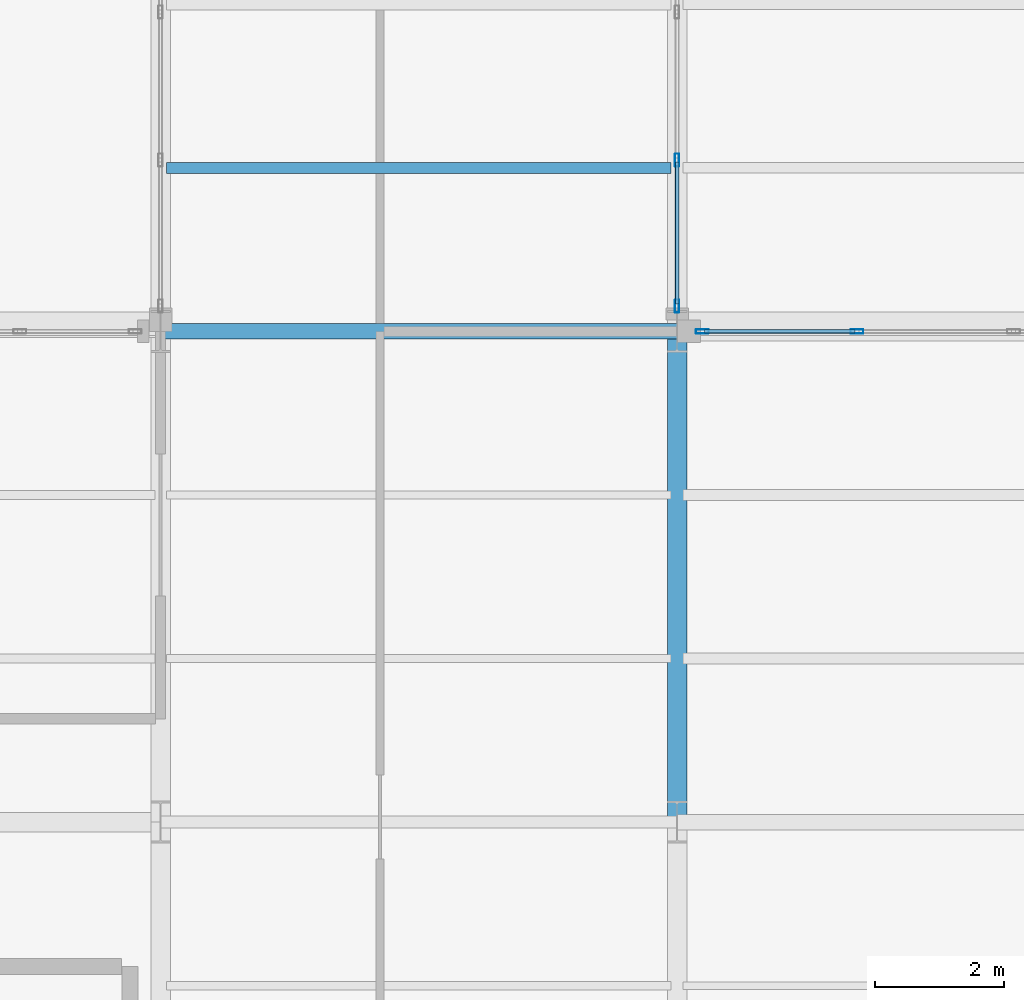
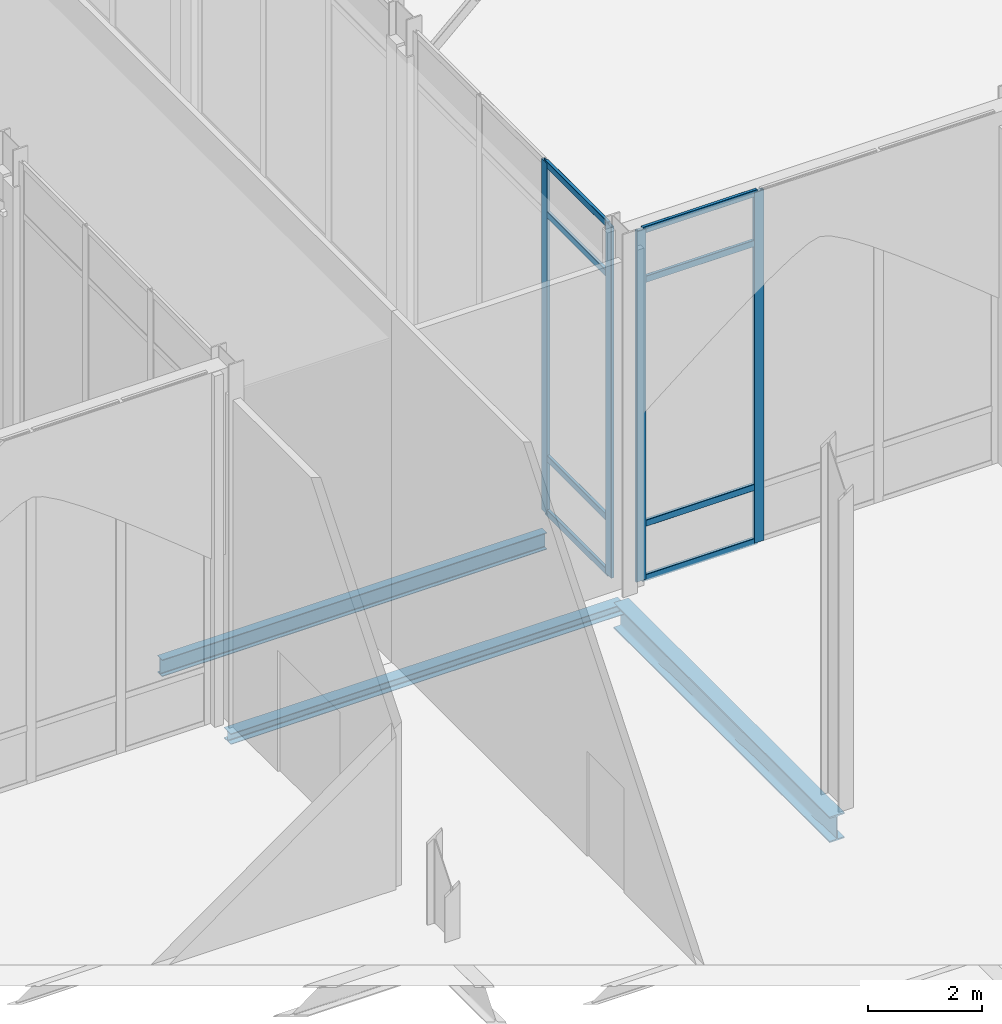
# One storey, part 33 of 176: 12 members, 3 beams, 2 elements without a shape of their own.
"""IFC4 building model written with IfcOpenShell, lengths in metres."""

from ifc_helpers import new_model, si_unit, direction, frame, origin, origin_2d, place, context, subcontext, project, spatial, hollow_rectangle, i_section, extrude, material, layer, layer_set, material_profile, profile_set, type_object, element, aggregate, save


model = new_model("IFC4")

# Units and contexts
model_context = context("Model", 3, precision=1e-05, world=origin(), true_north=direction((0.0, 1.0)))
body_context = subcontext(model_context, "Body", "Model", "MODEL_VIEW")
ifc_project = project(units=[si_unit("LENGTHUNIT", "METRE"), si_unit("AREAUNIT", "SQUARE_METRE"), si_unit("VOLUMEUNIT", "CUBIC_METRE"), si_unit("PLANEANGLEUNIT", "RADIAN"), si_unit("MASSUNIT", "GRAM", prefix="KILO")], contexts=[model_context])

# Site, building, storey
site_placement = place(None, origin())
site = spatial("IfcSite", under=ifc_project, at=site_placement, CompositionType="ELEMENT")
building_placement = place(site_placement, origin())
building = spatial("IfcBuilding", under=site, at=building_placement, Name="Vekula Escarpment Museum", CompositionType="ELEMENT")
storey_placement = place(building_placement, origin())
storey = spatial("IfcBuildingStorey", under=building, at=storey_placement, Name="L01", CompositionType="ELEMENT", Elevation=0.0)

# Beams
ifc_material_1 = material(Name="Steel S355", Category="steel")
ifc_material_profile_1 = material_profile(ifc_material_1, i_section(OverallWidth=0.300048828125, OverallDepth=0.550048828125, WebThickness=0.014892578125, FlangeThickness=0.029052734375, FilletRadius=0.027099609375, at=origin_2d()), Name="HEB 550")
ifc_profile_set_1 = profile_set([ifc_material_profile_1], Name="Steel S355")
beam_type_1 = type_object("IfcBeamType", Name="BM-GIRD-HEB550", PredefinedType="BEAM", material=ifc_profile_set_1)
beam_1_placement = place(storey_placement, frame((102.0, 7.60009765625, -0.574951171875), z_axis=(0.0, 1.0, 0.0), x_axis=(-1.0, 0.0, 0.0)))
element("IfcBeam", 1, at=beam_1_placement, inside=storey, type_object=beam_type_1, Name="Beam Y L01 0595", PredefinedType="BEAM", context=body_context, shape_type="SweptSolid", body=[
    extrude(i_section(OverallWidth=0.300048828125, OverallDepth=0.550048828125, WebThickness=0.014892578125, FlangeThickness=0.029052734375, FilletRadius=0.027099609375, at=origin_2d()), origin(), (0.0, 0.0, 1.0), 7.599853515625),
])
ifc_material_2 = material(Name="Steel S355", Category="steel")
ifc_material_profile_2 = material_profile(ifc_material_2, i_section(OverallWidth=0.169921875, OverallDepth=0.360107421875, WebThickness=0.008056640625, FlangeThickness=0.0126953125, FilletRadius=0.01806640625, at=origin_2d()), Name="IPE 360")
ifc_profile_set_2 = profile_set([ifc_material_profile_2], Name="Steel S355")
beam_type_2 = type_object("IfcBeamType", Name="BM-JST-IPE360", PredefinedType="JOIST", material=ifc_profile_set_2)
beam_2_placement = place(storey_placement, frame((94.090087890625, 17.7333984375, -0.47998046875), z_axis=(1.0, 0.0, 0.0), x_axis=(0.0, 1.0, 0.0)))
element("IfcBeam", 2, at=beam_2_placement, inside=storey, type_object=beam_type_2, Name="Secondary Joist L01 0292", PredefinedType="JOIST", context=body_context, shape_type="SweptSolid", body=[
    extrude(i_section(OverallWidth=0.169921875, OverallDepth=0.360107421875, WebThickness=0.008056640625, FlangeThickness=0.0126953125, FilletRadius=0.01806640625, at=origin_2d()), origin(), (0.0, 0.0, 1.0), 7.81982421875),
])
ifc_material_3 = material(Name="Steel S355", Category="steel")
ifc_material_profile_3 = material_profile(ifc_material_3, i_section(OverallWidth=0.239990234375, OverallDepth=0.22998046875, WebThickness=0.007568359375, FlangeThickness=0.011962890625, FilletRadius=0.02099609375, at=origin_2d()), Name="HEA 240")
ifc_profile_set_3 = profile_set([ifc_material_profile_3], Name="Steel S355")
beam_type_3 = type_object("IfcBeamType", Name="BM-SPAN-HEA240", PredefinedType="SPANDREL", material=ifc_profile_set_3)
beam_3_placement = place(storey_placement, frame((94.0, 15.199951171875, -0.4150390625), z_axis=(1.0, 0.0, 0.0), x_axis=(0.0, 1.0, 0.0)))
element("IfcBeam", 3, at=beam_3_placement, inside=storey, type_object=beam_type_3, Name="Beam X L01 0058", PredefinedType="SPANDREL", context=body_context, shape_type="SweptSolid", body=[
    extrude(i_section(OverallWidth=0.239990234375, OverallDepth=0.22998046875, WebThickness=0.007568359375, FlangeThickness=0.011962890625, FilletRadius=0.02099609375, at=origin_2d()), origin(), (0.0, 0.0, 1.0), 8.0),
])

# Curtain wall, members
ifc_material_4 = material(Name="Aluminium thermally broken framing", Category="aluminium")
ifc_layer_1 = layer(ifc_material_4, 0.159912109375)
ifc_layer_set_1 = layer_set([ifc_layer_1], Name="Aluminium thermally broken framing")
curtain_wall_type_1 = type_object("IfcCurtainWallType", Name="CW-SYS-02", PredefinedType="NOTDEFINED", material=ifc_layer_set_1)
curtain_wall_1_placement = place(storey_placement, origin())
curtain_wall_1 = element("IfcCurtainWall", 4, at=curtain_wall_1_placement, inside=storey, type_object=curtain_wall_type_1, Name="Curtain Wall CW-L01-002", PredefinedType="NOTDEFINED")
ifc_material_5 = material(Name="Aluminium anodized mullion", Category="aluminium")
ifc_material_profile_4 = material_profile(ifc_material_5, hollow_rectangle(XDim=0.06494140625, YDim=0.199951171875, WallThickness=0.00390625, InnerFilletRadius=0.00390625, OuterFilletRadius=0.008056640625, at=origin_2d()), Name="ALU 200x65x4")
ifc_profile_set_4 = profile_set([ifc_material_profile_4], Name="Aluminium anodized mullion")
member_type_1 = type_object("IfcMemberType", Name="CW-MUL-200", PredefinedType="MULLION", material=ifc_profile_set_4)
member_1_placement = place(storey_placement, frame((104.78662109375, 15.199951171875, 0.0), z_axis=(0.0, 0.0, 1.0), x_axis=(0.0, -1.0, 0.0)))
member_1 = element("IfcMember", 5, at=member_1_placement, type_object=member_type_1, Name="CW-02 mullion 3", PredefinedType="MULLION", context=body_context, shape_type="SweptSolid", body=[
    extrude(hollow_rectangle(XDim=0.06494140625, YDim=0.199951171875, WallThickness=0.00390625, InnerFilletRadius=0.00390625, OuterFilletRadius=0.008056640625, at=origin_2d()), origin(), (0.0, 0.0, 1.0), 7.5400390625),
])
member_2_placement = place(storey_placement, frame((102.392578125, 15.199951171875, 0.0), z_axis=(0.0, 0.0, 1.0), x_axis=(0.0, -1.0, 0.0)))
member_2 = element("IfcMember", 6, at=member_2_placement, type_object=member_type_1, Name="CW-02 mullion 4", PredefinedType="MULLION", context=body_context, shape_type="SweptSolid", body=[
    extrude(hollow_rectangle(XDim=0.06494140625, YDim=0.199951171875, WallThickness=0.00390625, InnerFilletRadius=0.00390625, OuterFilletRadius=0.008056640625, at=origin_2d()), origin(), (0.0, 0.0, 1.0), 7.5400390625),
])

ifc_material_6 = material(Name="Aluminium thermally broken framing", Category="aluminium")
ifc_layer_2 = layer(ifc_material_6, 0.199951171875)
ifc_layer_set_2 = layer_set([ifc_layer_2], Name="Aluminium thermally broken framing")
curtain_wall_type_2 = type_object("IfcCurtainWallType", Name="CW-SYS-03", PredefinedType="NOTDEFINED", material=ifc_layer_set_2)
curtain_wall_2_placement = place(storey_placement, origin())
curtain_wall_2 = element("IfcCurtainWall", 7, at=curtain_wall_2_placement, inside=storey, type_object=curtain_wall_type_2, Name="Curtain Wall CW-L01-003", PredefinedType="NOTDEFINED")
member_3_placement = place(storey_placement, frame((102.0, 15.592529296875, 0.0), z_axis=(0.0, 0.0, 1.0), x_axis=(-1.0, 0.0, 0.0)))
member_3 = element("IfcMember", 8, at=member_3_placement, type_object=member_type_1, Name="CW-03 mullion 1", PredefinedType="MULLION", context=body_context, shape_type="SweptSolid", body=[
    extrude(hollow_rectangle(XDim=0.06494140625, YDim=0.199951171875, WallThickness=0.00390625, InnerFilletRadius=0.00390625, OuterFilletRadius=0.008056640625, at=origin_2d()), origin(), (0.0, 0.0, 1.0), 7.5400390625),
])
member_4_placement = place(storey_placement, frame((102.0, 17.853271484375, 0.0), z_axis=(0.0, 0.0, 1.0), x_axis=(-1.0, 0.0, 0.0)))
member_4 = element("IfcMember", 9, at=member_4_placement, type_object=member_type_1, Name="CW-03 mullion 2", PredefinedType="MULLION", context=body_context, shape_type="SweptSolid", body=[
    extrude(hollow_rectangle(XDim=0.06494140625, YDim=0.199951171875, WallThickness=0.00390625, InnerFilletRadius=0.00390625, OuterFilletRadius=0.008056640625, at=origin_2d()), origin(), (0.0, 0.0, 1.0), 7.5400390625),
])

# Member
ifc_material_7 = material(Name="Aluminium anodized transom", Category="aluminium")
ifc_material_profile_5 = material_profile(ifc_material_7, hollow_rectangle(XDim=0.06494140625, YDim=0.139892578125, WallThickness=0.00390625, InnerFilletRadius=0.00390625, OuterFilletRadius=0.008056640625, at=origin_2d()), Name="ALU 140x65x4")
ifc_profile_set_5 = profile_set([ifc_material_profile_5], Name="Aluminium anodized transom")
member_type_2 = type_object("IfcMemberType", Name="CW-TRN-140", PredefinedType="USERDEFINED", material=ifc_profile_set_5)
member_5_placement = place(storey_placement, frame((104.754150390625, 15.199951171875, 0.032470703125), z_axis=(-1.0, 0.0, 0.0), x_axis=(0.0, -1.0, 0.0)))
member_5 = element("IfcMember", 10, at=member_5_placement, type_object=member_type_2, Name="CW-02 transom 3.1", ObjectType="TRANSOM", PredefinedType="USERDEFINED", context=body_context, shape_type="SweptSolid", body=[
    extrude(hollow_rectangle(XDim=0.06494140625, YDim=0.139892578125, WallThickness=0.00390625, InnerFilletRadius=0.00390625, OuterFilletRadius=0.008056640625, at=origin_2d()), origin(), (0.0, 0.0, 1.0), 2.3291015625),
])

member_6_placement = place(storey_placement, frame((104.754150390625, 15.199951171875, 1.199951171875), z_axis=(-1.0, 0.0, 0.0), x_axis=(0.0, -1.0, 0.0)))
member_6 = element("IfcMember", 11, at=member_6_placement, type_object=member_type_2, Name="CW-02 transom 3.2", ObjectType="TRANSOM", PredefinedType="USERDEFINED", context=body_context, shape_type="SweptSolid", body=[
    extrude(hollow_rectangle(XDim=0.06494140625, YDim=0.139892578125, WallThickness=0.00390625, InnerFilletRadius=0.00390625, OuterFilletRadius=0.008056640625, at=origin_2d()), origin(), (0.0, 0.0, 1.0), 2.3291015625),
])

member_7_placement = place(storey_placement, frame((104.754150390625, 15.199951171875, 6.43994140625), z_axis=(-1.0, 0.0, 0.0), x_axis=(0.0, -1.0, 0.0)))
member_7 = element("IfcMember", 12, at=member_7_placement, type_object=member_type_2, Name="CW-02 transom 3.3", ObjectType="TRANSOM", PredefinedType="USERDEFINED", context=body_context, shape_type="SweptSolid", body=[
    extrude(hollow_rectangle(XDim=0.06494140625, YDim=0.139892578125, WallThickness=0.00390625, InnerFilletRadius=0.00390625, OuterFilletRadius=0.008056640625, at=origin_2d()), origin(), (0.0, 0.0, 1.0), 2.3291015625),
])

member_8_placement = place(storey_placement, frame((104.754150390625, 15.199951171875, 7.507568359375), z_axis=(-1.0, 0.0, 0.0), x_axis=(0.0, -1.0, 0.0)))
member_8 = element("IfcMember", 13, at=member_8_placement, type_object=member_type_2, Name="CW-02 transom 3.4", ObjectType="TRANSOM", PredefinedType="USERDEFINED", context=body_context, shape_type="SweptSolid", body=[
    extrude(hollow_rectangle(XDim=0.06494140625, YDim=0.139892578125, WallThickness=0.00390625, InnerFilletRadius=0.00390625, OuterFilletRadius=0.008056640625, at=origin_2d()), origin(), (0.0, 0.0, 1.0), 2.3291015625),
])

aggregate(curtain_wall_1, [member_1, member_2, member_5, member_6, member_7, member_8])

member_9_placement = place(storey_placement, frame((102.0, 15.625, 0.032470703125), z_axis=(0.0, 1.0, 0.0), x_axis=(-1.0, 0.0, 0.0)))
member_9 = element("IfcMember", 14, at=member_9_placement, type_object=member_type_2, Name="CW-03 transom 1.1", ObjectType="TRANSOM", PredefinedType="USERDEFINED", context=body_context, shape_type="SweptSolid", body=[
    extrude(hollow_rectangle(XDim=0.06494140625, YDim=0.139892578125, WallThickness=0.00390625, InnerFilletRadius=0.00390625, OuterFilletRadius=0.008056640625, at=origin_2d()), origin(), (0.0, 0.0, 1.0), 2.19580078125),
])

member_10_placement = place(storey_placement, frame((102.0, 15.625, 1.199951171875), z_axis=(0.0, 1.0, 0.0), x_axis=(-1.0, 0.0, 0.0)))
member_10 = element("IfcMember", 15, at=member_10_placement, type_object=member_type_2, Name="CW-03 transom 1.2", ObjectType="TRANSOM", PredefinedType="USERDEFINED", context=body_context, shape_type="SweptSolid", body=[
    extrude(hollow_rectangle(XDim=0.06494140625, YDim=0.139892578125, WallThickness=0.00390625, InnerFilletRadius=0.00390625, OuterFilletRadius=0.008056640625, at=origin_2d()), origin(), (0.0, 0.0, 1.0), 2.19580078125),
])

member_11_placement = place(storey_placement, frame((102.0, 15.625, 6.43994140625), z_axis=(0.0, 1.0, 0.0), x_axis=(-1.0, 0.0, 0.0)))
member_11 = element("IfcMember", 16, at=member_11_placement, type_object=member_type_2, Name="CW-03 transom 1.3", ObjectType="TRANSOM", PredefinedType="USERDEFINED", context=body_context, shape_type="SweptSolid", body=[
    extrude(hollow_rectangle(XDim=0.06494140625, YDim=0.139892578125, WallThickness=0.00390625, InnerFilletRadius=0.00390625, OuterFilletRadius=0.008056640625, at=origin_2d()), origin(), (0.0, 0.0, 1.0), 2.19580078125),
])

member_12_placement = place(storey_placement, frame((102.0, 15.625, 7.507568359375), z_axis=(0.0, 1.0, 0.0), x_axis=(-1.0, 0.0, 0.0)))
member_12 = element("IfcMember", 17, at=member_12_placement, type_object=member_type_2, Name="CW-03 transom 1.4", ObjectType="TRANSOM", PredefinedType="USERDEFINED", context=body_context, shape_type="SweptSolid", body=[
    extrude(hollow_rectangle(XDim=0.06494140625, YDim=0.139892578125, WallThickness=0.00390625, InnerFilletRadius=0.00390625, OuterFilletRadius=0.008056640625, at=origin_2d()), origin(), (0.0, 0.0, 1.0), 2.19580078125),
])

aggregate(curtain_wall_2, [member_3, member_4, member_9, member_10, member_11, member_12])

save(model, "model.ifc")
